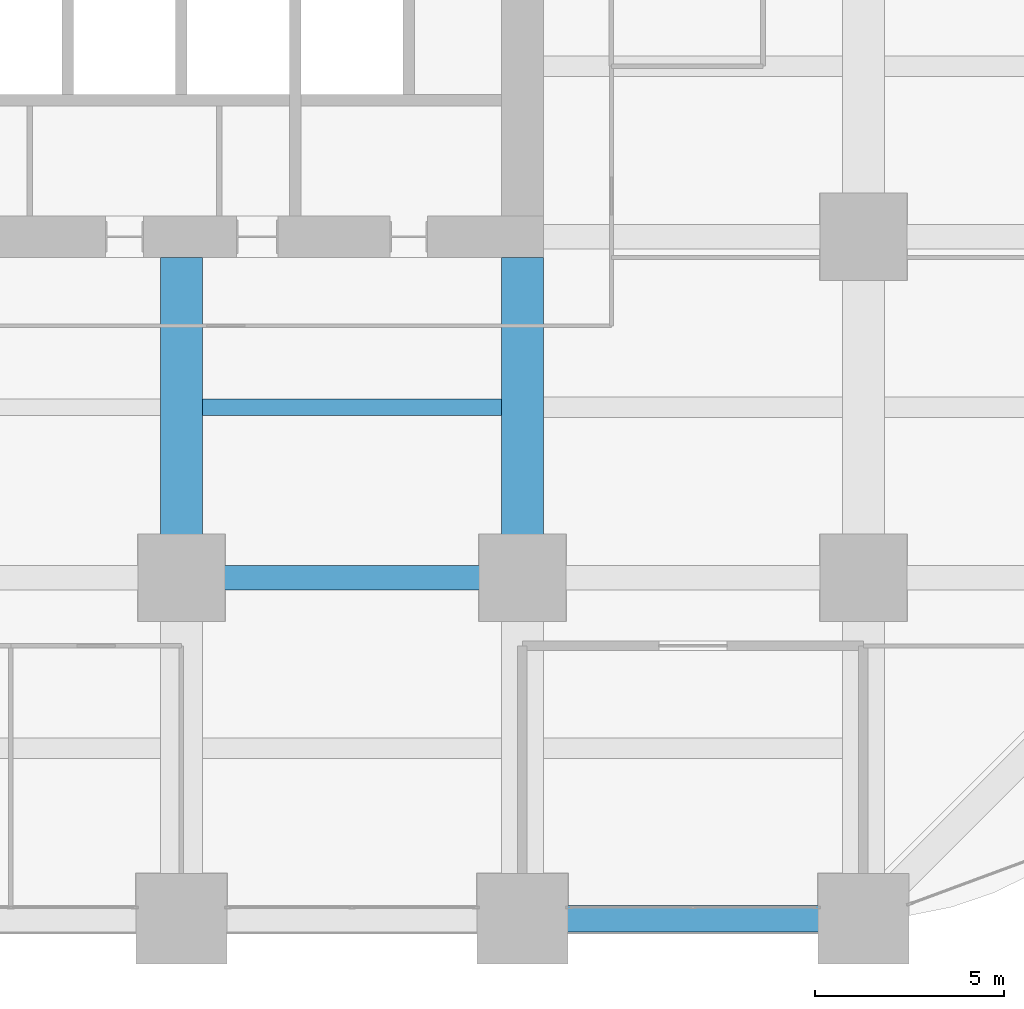
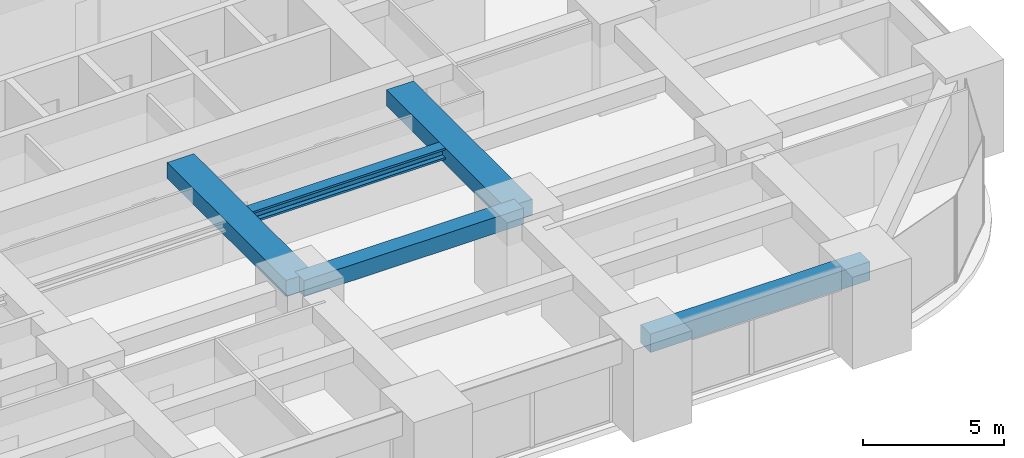
# One storey, part 14 of 44: 5 beams.
"""IFC4 building model written with IfcOpenShell, lengths in metres."""

from ifc_helpers import new_model, si_unit, direction, frame, origin, origin_2d, place, context, subcontext, project, spatial, rectangle, i_section, extrude, material, material_profile, profile_set, type_object, element, save


model = new_model("IFC4")

# Units and contexts
model_context = context("Model", 3, precision=1e-05, world=origin(), true_north=direction((0.0, 1.0)))
body_context = subcontext(model_context, "Body", "Model", "MODEL_VIEW")
ifc_project = project(units=[si_unit("LENGTHUNIT", "METRE"), si_unit("AREAUNIT", "SQUARE_METRE"), si_unit("VOLUMEUNIT", "CUBIC_METRE"), si_unit("PLANEANGLEUNIT", "RADIAN"), si_unit("MASSUNIT", "GRAM", prefix="KILO")], contexts=[model_context])

# Site, building, storey
site_placement = place(None, origin())
site = spatial("IfcSite", under=ifc_project, at=site_placement, CompositionType="ELEMENT")
building_placement = place(site_placement, origin())
building = spatial("IfcBuilding", under=site, at=building_placement, Name="Zorevar Civic Tower", CompositionType="ELEMENT")
storey_placement = place(building_placement, frame((0.0, 0.0, 35.800048828125)))
storey = spatial("IfcBuildingStorey", under=building, at=storey_placement, Name="L08", CompositionType="ELEMENT", Elevation=35.800048828125)

# Beams
ifc_material_1 = material(Name="Concrete C50/60", Category="concrete")
ifc_material_profile_1 = material_profile(ifc_material_1, rectangle(XDim=1.10009765625, YDim=0.699951171875, at=origin_2d()), Name="RC 1100x700")
ifc_profile_set_1 = profile_set([ifc_material_profile_1], Name="Concrete C50/60")
beam_type_1 = type_object("IfcBeamType", Name="Beam RC 1100x700", PredefinedType="BEAM", material=ifc_profile_set_1)
for number, where, z_axis, x_axis, name in (
    (1, (36.0, 9.0, 3.39990234375), (0.0, 1.0, 0.0), (-1.0, 0.0, 0.0), "Girder L09"),
    (2, (45.0, 9.0, 3.39990234375), (0.0, 1.0, 0.0), (-1.0, 0.0, 0.0), "Girder L09"),
):
    element("IfcBeam", number, at=place(storey_placement, frame(where, z_axis=z_axis, x_axis=x_axis)), inside=storey, type_object=beam_type_1, Name=name, PredefinedType="BEAM", context=body_context, shape_type="SweptSolid", body=[
        extrude(rectangle(XDim=1.10009765625, YDim=0.699951171875, at=origin_2d()), origin(), (0.0, 0.0, 1.0), 8.449951171875),
    ])
ifc_material_2 = material(Name="Concrete C50/60", Category="concrete")
ifc_material_profile_2 = material_profile(ifc_material_2, rectangle(XDim=0.64990234375, YDim=0.699951171875, at=origin_2d()), Name="RC 650x700")
ifc_profile_set_2 = profile_set([ifc_material_profile_2], Name="Concrete C50/60")
beam_type_2 = type_object("IfcBeamType", Name="Beam RC 650x700", PredefinedType="BEAM", material=ifc_profile_set_2)
beam_1_placement = place(storey_placement, frame((36.0, 9.0, 3.39990234375), z_axis=(1.0, 0.0, 0.0), x_axis=(0.0, 1.0, 0.0)))
element("IfcBeam", 3, at=beam_1_placement, inside=storey, type_object=beam_type_2, Name="Girder L09", PredefinedType="BEAM", context=body_context, shape_type="SweptSolid", body=[
    extrude(rectangle(XDim=0.64990234375, YDim=0.699951171875, at=origin_2d()), origin(), (0.0, 0.0, 1.0), 9.0),
])
ifc_material_3 = material(Name="Steel S460M (HISTAR 460)", Category="steel")
ifc_material_profile_3 = material_profile(ifc_material_3, i_section(OverallWidth=0.431884765625, OverallDepth=0.498046875, WebThickness=0.0556640625, FlangeThickness=0.0888671875, FilletRadius=0.014892578125, at=origin_2d()), Name="HD 400x744")
ifc_profile_set_3 = profile_set([ifc_material_profile_3], Name="Steel S460M (HISTAR 460)")
beam_type_3 = type_object("IfcBeamType", Name="Core bay beam HD 400x744", PredefinedType="BEAM", material=ifc_profile_set_3)
beam_2_placement = place(storey_placement, frame((36.550048828125, 13.5, 3.5009765625), z_axis=(1.0, 0.0, 0.0), x_axis=(0.0, 1.0, 0.0)))
element("IfcBeam", 4, at=beam_2_placement, inside=storey, type_object=beam_type_3, Name="Secondary beam L09", PredefinedType="BEAM", context=body_context, shape_type="SweptSolid", body=[
    extrude(i_section(OverallWidth=0.431884765625, OverallDepth=0.498046875, WebThickness=0.0556640625, FlangeThickness=0.0888671875, FilletRadius=0.014892578125, at=origin_2d()), origin(), (0.0, 0.0, 1.0), 7.89990234375),
])
ifc_material_4 = material(Name="Concrete C50/60", Category="concrete")
ifc_material_profile_4 = material_profile(ifc_material_4, rectangle(XDim=0.699951171875, YDim=0.800048828125, at=origin_2d()), Name="RC 700x800")
ifc_profile_set_4 = profile_set([ifc_material_profile_4], Name="Concrete C50/60")
beam_type_4 = type_object("IfcBeamType", Name="Edge beam RC 700x800", PredefinedType="SPANDREL", material=ifc_profile_set_4)
beam_3_placement = place(storey_placement, frame((45.0, 0.0, 3.349853515625), z_axis=(1.0, 0.0, 0.0), x_axis=(0.0, 1.0, 0.0)))
element("IfcBeam", 5, at=beam_3_placement, inside=storey, type_object=beam_type_4, Name="Edge beam L09", PredefinedType="SPANDREL", context=body_context, shape_type="SweptSolid", body=[
    extrude(rectangle(XDim=0.699951171875, YDim=0.800048828125, at=origin_2d()), origin(), (0.0, 0.0, 1.0), 9.0),
])

save(model, "model.ifc")
